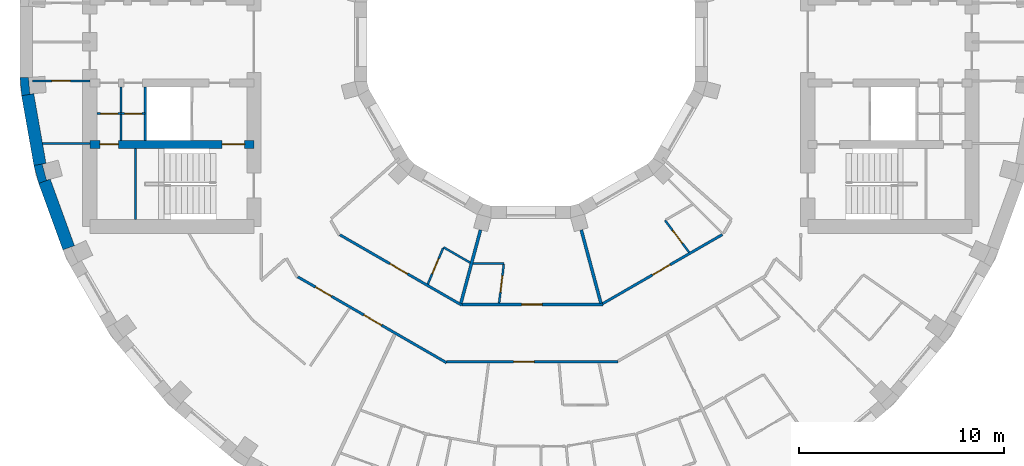
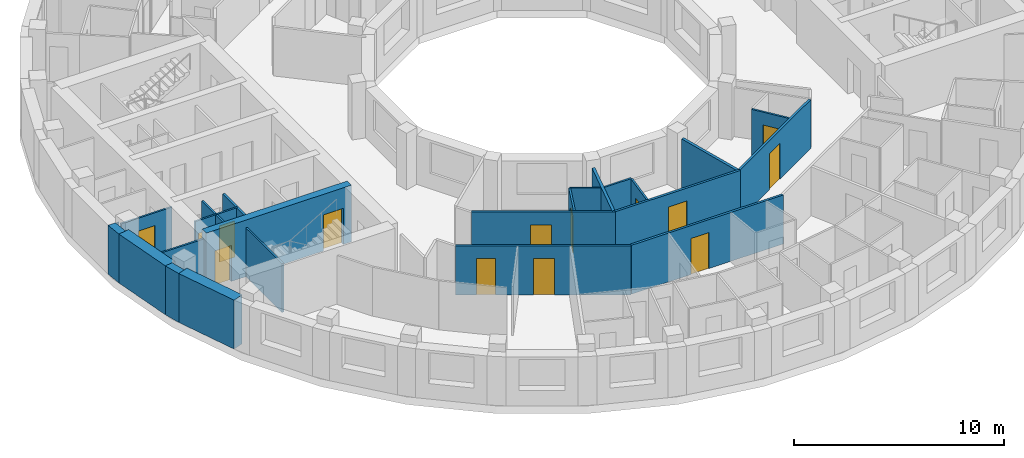
# One storey, part 5 of 15: 24 walls, 14 doors, 14 openings.
"""IFC4 building model written with IfcOpenShell, lengths in metres."""

import ifcopenshell
import ifcopenshell.guid

model = None  # the IFC model being written
_history = None  # IfcOwnerHistory: only IFC2X3 demands one
_inside = {}  # id of a spatial element -> (the spatial element, [elements in it])
_under = {}  # id of a project, library or spatial element -> (it, [spatial elements below it])
_declared = {}  # id of a project -> (the project, [libraries it declares])
_typed = {}  # id of a type object -> (the type object, [elements of that type])
_made_of = {}  # id of a material, layer set ... -> (it, [elements and type objects made of it])


def new_model(schema):
    """Start an empty IFC model of exactly this schema.

    Asked for "IFC4X3", IfcOpenShell would pick the latest addendum, in which some entities
    have other attributes; the version numbers below select the first issue.
    IFC2X3 requires an IfcOwnerHistory on every rooted entity: one is made here for all.
    """
    global model, _history
    if schema == "IFC4X3":
        model = ifcopenshell.file(schema_version=(4, 3, 0, 0))
    else:
        model = ifcopenshell.file(schema=schema)
    _inside.clear()
    _under.clear()
    _declared.clear()
    _typed.clear()
    _made_of.clear()
    _history = None
    if model.schema == "IFC2X3":
        org = make("IfcOrganization", Name="unknown")
        user = make(
            "IfcPersonAndOrganization",
            ThePerson=make("IfcPerson", FamilyName="unknown"),
            TheOrganization=org,
        )
        app = make(
            "IfcApplication",
            ApplicationDeveloper=org,
            Version="unknown",
            ApplicationFullName="unknown",
            ApplicationIdentifier="unknown",
        )
        _history = make(
            "IfcOwnerHistory",
            OwningUser=user,
            OwningApplication=app,
            ChangeAction="ADDED",
            CreationDate=0,
        )
    return model


def make(cls, **values):
    """One entity of the class cls with the attributes given. An attribute that is None is left unset."""
    return model.create_entity(
        cls, **{name: value for name, value in values.items() if value is not None}
    )


def rooted(cls, **values):
    """An entity with a GlobalId (a new one), such as an element, a storey or a relation."""
    return make(cls, GlobalId=ifcopenshell.guid.new(), OwnerHistory=_history, **values)


def si_unit(unit_type, name, prefix=None):
    """IfcSIUnit, for example si_unit("LENGTHUNIT", "METRE", prefix="MILLI")."""
    return make("IfcSIUnit", UnitType=unit_type, Prefix=prefix, Name=name)


def assignment(units):
    """IfcUnitAssignment: the units of a project."""
    return None if units is None else make("IfcUnitAssignment", Units=units)


def point(xyz):
    """IfcCartesianPoint."""
    return None if xyz is None else make("IfcCartesianPoint", Coordinates=xyz)


def direction(xyz):
    """IfcDirection."""
    return None if xyz is None else make("IfcDirection", DirectionRatios=xyz)


def frame(location, z_axis=None, x_axis=None):
    """IfcAxis2Placement3D, a coordinate frame: its origin and axes. An axis left out is left unset."""
    return make(
        "IfcAxis2Placement3D",
        Location=point(location),
        Axis=direction(z_axis),
        RefDirection=direction(x_axis),
    )


def frame_2d(location, x_axis=None):
    """IfcAxis2Placement2D, a coordinate frame in the plane: its origin and x axis."""
    return make(
        "IfcAxis2Placement2D", Location=point(location), RefDirection=direction(x_axis)
    )


def origin():
    """The frame at (0, 0, 0) with its axes left unset."""
    return frame((0.0, 0.0, 0.0))


def place(relative_to, where):
    """IfcLocalPlacement: puts the frame where relative to a parent placement (None: the world)."""
    return make(
        "IfcLocalPlacement", PlacementRelTo=relative_to, RelativePlacement=where
    )


def context(
    kind, dimensions, precision=None, world=None, true_north=None, identifier=None
):
    """IfcGeometricRepresentationContext, for example the 3D "Model" context."""
    return make(
        "IfcGeometricRepresentationContext",
        ContextIdentifier=identifier,
        ContextType=kind,
        CoordinateSpaceDimension=dimensions,
        Precision=precision,
        WorldCoordinateSystem=world,
        TrueNorth=true_north,
    )


def subcontext(parent, identifier, kind, view, scale=None):
    """IfcGeometricRepresentationSubContext, for example "Body" below "Model"."""
    return make(
        "IfcGeometricRepresentationSubContext",
        ContextIdentifier=identifier,
        ContextType=kind,
        ParentContext=parent,
        TargetScale=scale,
        TargetView=view,
    )


def project(units=None, contexts=None):
    """IfcProject with its units and contexts."""
    return rooted(
        "IfcProject",
        Name="project",
        RepresentationContexts=contexts,
        UnitsInContext=assignment(units),
    )


def spatial(cls, under=None, at=None, **own):
    """A site, building, storey or space (cls), placed at a placement, below another one or the project."""
    s = rooted(cls, ObjectPlacement=at, **own)
    if under is not None:
        _under.setdefault(under.id(), (under, []))[1].append(s)
    return s


def polyline(points):
    """IfcPolyline through the points."""
    return make("IfcPolyline", Points=[point(p) for p in points])


def profile(cls, at=None, kind="AREA", **sizes):
    """A parametric profile (cls). Its sizes go by their IFC names, for example OverallWidth=200.0."""
    return make(cls, ProfileType=kind, Position=at, **sizes)


def rectangle(**sizes):
    """IfcRectangleProfileDef."""
    return profile("IfcRectangleProfileDef", **sizes)


def outline(outer, holes=None, kind="AREA"):
    """IfcArbitraryClosedProfileDef: a profile drawn as a closed curve; with holes, ...WithVoids."""
    if holes is None:
        return make("IfcArbitraryClosedProfileDef", ProfileType=kind, OuterCurve=outer)
    return make(
        "IfcArbitraryProfileDefWithVoids",
        ProfileType=kind,
        OuterCurve=outer,
        InnerCurves=holes,
    )


def extrude(swept, where, along, depth):
    """IfcExtrudedAreaSolid: the profile swept, set in the frame where, extruded along a direction by depth."""
    return make(
        "IfcExtrudedAreaSolid",
        SweptArea=swept,
        Position=where,
        ExtrudedDirection=direction(along),
        Depth=depth,
    )


def shape(context_of_items, identifier, shape_type, items):
    """IfcShapeRepresentation: the items that make up one representation, for example the "Body"."""
    return make(
        "IfcShapeRepresentation",
        ContextOfItems=context_of_items,
        RepresentationIdentifier=identifier,
        RepresentationType=shape_type,
        Items=items,
    )


def material(Name=None, Category=None):
    """IfcMaterial."""
    return make("IfcMaterial", Name=Name, Category=Category)


def layer(
    of_material, thickness, ventilated=None, Name=None, Category=None, Priority=None
):
    """IfcMaterialLayer: one layer of a wall or slab, of a material (None: an air gap)."""
    return make(
        "IfcMaterialLayer",
        Material=of_material,
        LayerThickness=thickness,
        IsVentilated=ventilated,
        Name=Name,
        Category=Category,
        Priority=Priority,
    )


def layer_set(layers, Name=None):
    """IfcMaterialLayerSet."""
    return make("IfcMaterialLayerSet", MaterialLayers=layers, LayerSetName=Name)


def made_of(thing, what):
    """Note that an element or type object is made of a material, layer set ...; save() writes the relation."""
    if what is not None:
        _made_of.setdefault(what.id(), (what, []))[1].append(thing)
    return thing


def type_object(cls, material=None, **own):
    """A type object (cls), such as IfcWallType, which elements share."""
    return made_of(rooted(cls, **own), material)


def element(
    cls,
    number,
    at=None,
    inside=None,
    cuts=None,
    type_object=None,
    material=None,
    context=None,
    identifier="Body",
    shape_type=None,
    held_by="IfcProductDefinitionShape",
    body=None,
    shapes=None,
    **own,
):
    """One element of the class cls, such as IfcWall. Its Tag is "e" and its number.

    at: its placement. inside: the storey or other place that contains it. cuts: it is an
    opening in that element (IfcRelVoidsElement). A single representation is given by context,
    identifier, shape_type and body (its items); several are given by shapes. held_by: the class
    of the entity that holds the representations. save() writes the other relations.
    """
    e = rooted(cls, Tag="e%d" % number, ObjectPlacement=at, **own)
    if body is not None:
        shapes = [shape(context, identifier, shape_type, body)]
    if shapes is not None:
        e.Representation = make(held_by, Representations=shapes)
    if inside is not None:
        _inside.setdefault(inside.id(), (inside, []))[1].append(e)
    if cuts is not None:
        rooted(
            "IfcRelVoidsElement", RelatingBuildingElement=cuts, RelatedOpeningElement=e
        )
    if type_object is not None:
        _typed.setdefault(type_object.id(), (type_object, []))[1].append(e)
    return made_of(e, material)


def fill(opening, filler):
    """IfcRelFillsElement: the door or window that sits in an opening."""
    return rooted(
        "IfcRelFillsElement",
        RelatingOpeningElement=opening,
        RelatedBuildingElement=filler,
    )


def aggregate(whole, parts):
    """IfcRelAggregates: a whole, such as a stair, and the parts it consists of."""
    return rooted("IfcRelAggregates", RelatingObject=whole, RelatedObjects=parts)


def save(model, path):
    """Write the relations noted so far, then the file.

    IfcRelAggregates (storeys below a building ...), IfcRelContainedInSpatialStructure (elements
    in a storey), IfcRelDefinesByType, IfcRelAssociatesMaterial and IfcRelDeclares: one each for
    every whole, place, type object, material and project.
    """
    for whole, parts in _under.values():
        aggregate(whole, parts)
    for where, things in _inside.values():
        rooted(
            "IfcRelContainedInSpatialStructure",
            RelatedElements=things,
            RelatingStructure=where,
        )
    for kind, things in _typed.values():
        rooted("IfcRelDefinesByType", RelatedObjects=things, RelatingType=kind)
    for what, things in _made_of.values():
        rooted("IfcRelAssociatesMaterial", RelatedObjects=things, RelatingMaterial=what)
    for by, libraries in _declared.values():
        rooted("IfcRelDeclares", RelatingContext=by, RelatedDefinitions=libraries)
    model.write(path)


model = new_model("IFC4")

# Units and contexts
model_context = context("Model", 3, precision=1e-05, world=origin(), true_north=direction((0.0, 1.0)))
body_context = subcontext(model_context, "Body", "Model", "MODEL_VIEW")
ifc_project = project(units=[si_unit("LENGTHUNIT", "METRE"), si_unit("AREAUNIT", "SQUARE_METRE"), si_unit("VOLUMEUNIT", "CUBIC_METRE"), si_unit("PLANEANGLEUNIT", "RADIAN"), si_unit("MASSUNIT", "GRAM", prefix="KILO")], contexts=[model_context])

# Site, building, storey
site_placement = place(None, origin())
site = spatial("IfcSite", under=ifc_project, at=site_placement, CompositionType="ELEMENT")
building_placement = place(site_placement, origin())
building = spatial("IfcBuilding", under=site, at=building_placement, Name="Saqina Gate Tower", CompositionType="ELEMENT")
storey_placement = place(building_placement, frame((0.0, 0.0, 193.800048828125)))
storey = spatial("IfcBuildingStorey", under=building, at=storey_placement, Name="L55", CompositionType="ELEMENT", Elevation=193.800048828125)

# Walls
ifc_material_1 = material(Name="Brick masonry (buff)", Category="masonry")
wall_type_1 = type_object("IfcWallType", Name="BRICK PIER COPING BUFF", PredefinedType="SOLIDWALL", material=ifc_material_1)
wall_1_placement = place(storey_placement, origin())
element("IfcWall", 1, at=wall_1_placement, inside=storey, type_object=wall_type_1, Name="Pier cap L55 column 19", PredefinedType="SOLIDWALL", context=body_context, shape_type="SweptSolid", body=[
    extrude(outline(polyline([(-24.90478515625, -1.724853515625), (-24.825927734375, -2.6259765625), (-24.235107421875, -2.521728515625), (-24.421630859375, -2.5380859375), (-24.491455078125, -1.7412109375), (-24.304931640625, -1.724853515625), (-24.90478515625, -1.724853515625)])), origin(), (0.0, 0.0, 1.0), 2.849853515625),
])
wall_2_placement = place(storey_placement, origin())
element("IfcWall", 2, at=wall_2_placement, inside=storey, type_object=wall_type_1, Name="Pier cap L55 column 20", PredefinedType="SOLIDWALL", context=body_context, shape_type="SweptSolid", body=[
    extrude(outline(polyline([(-24.22705078125, -6.0234375), (-23.992919921875, -6.897216796875), (-23.428955078125, -6.69189453125), (-23.610107421875, -6.740478515625), (-23.81689453125, -5.967529296875), (-23.635986328125, -5.919189453125), (-24.22705078125, -6.0234375)])), origin(), (0.0, 0.0, 1.0), 2.849853515625),
])
ifc_material_2 = material(Name="Gypsum board on steel studs", Category="steel")
ifc_layer_1 = layer(ifc_material_2, 0.10009765625)
ifc_layer_set_1 = layer_set([ifc_layer_1], Name="CORE PARTITION")
wall_type_2 = type_object("IfcWallType", Name="CORE PARTITION", PredefinedType="PARTITIONING", material=ifc_layer_set_1)
wall_3_placement = place(storey_placement, frame((-21.5, -4.949951171875, 0.0), z_axis=(0.0, 0.0, 1.0), x_axis=(-1.0, 0.0, 0.0)))
element("IfcWall", 3, at=wall_3_placement, inside=storey, type_object=wall_type_2, Name="L55-CP-W03", PredefinedType="PARTITIONING", context=body_context, shape_type="SweptSolid", body=[
    extrude(rectangle(XDim=2.306884765625, YDim=0.10009765625, at=frame_2d((1.1533203125, 0.0))), origin(), (0.0, 0.0, 1.0), 2.849853515625),
])

# Wall, opening, door
wall_4_placement = place(storey_placement, frame((-21.5, -1.89990234375, 0.0), z_axis=(0.0, 0.0, 1.0), x_axis=(-1.0, 0.0, 0.0)))
wall_4 = element("IfcWall", 4, at=wall_4_placement, inside=storey, type_object=wall_type_2, Name="L55-CP-W04", PredefinedType="PARTITIONING", context=body_context, shape_type="SweptSolid", body=[
    extrude(rectangle(XDim=2.804931640625, YDim=0.10009765625, at=frame_2d((1.40234375, 0.0))), origin(), (0.0, 0.0, 1.0), 2.849853515625),
])
opening_1_placement = place(wall_4_placement, frame((0.952392578125, 0.0, 0.0)))
opening_1 = element("IfcOpeningElement", 5, at=opening_1_placement, cuts=wall_4, Name="Opening G16-D116", PredefinedType="OPENING", context=body_context, shape_type="SweptSolid", body=[
    extrude(rectangle(XDim=0.89990234375, YDim=2.10009765625, at=frame_2d((0.449951171875, 1.050048828125))), frame((0.0, 0.06201171875, 0.0), z_axis=(0.0, -1.0, 0.0), x_axis=(1.0, 0.0, 0.0)), (0.0, 0.0, 1.0), 0.1240234375),
])
ifc_material_3 = material(Name="Steel-framed fire door leaf, EI 60", Category="steel")
door_type_1 = type_object("IfcDoorType", Name="SERVICE ROOM DOOR 900", OperationType="SINGLE_SWING_LEFT", PredefinedType="DOOR", material=ifc_material_3)
door_1_placement = place(opening_1_placement, origin())
door_1 = element("IfcDoor", 6, at=door_1_placement, inside=storey, type_object=door_type_1, Name="L55-CD-W27", OperationType="SINGLE_SWING_LEFT", OverallHeight=2.10009765625, OverallWidth=0.89990234375, PredefinedType="DOOR", context=body_context, shape_type="SweptSolid", body=[
    extrude(rectangle(XDim=0.89990234375, YDim=2.10009765625, at=frame_2d((0.449951171875, 1.050048828125))), frame((0.0, 0.02490234375, 0.0), z_axis=(0.0, -1.0, 0.0), x_axis=(1.0, 0.0, 0.0)), (0.0, 0.0, 1.0), 0.050048828125),
])
fill(opening_1, door_1)

# Wall
wall_5_placement = place(storey_placement, frame((-19.97998046875, -4.800048828125, 0.0), z_axis=(0.0, 0.0, 1.0), x_axis=(0.0, 1.0, 0.0)))
element("IfcWall", 7, at=wall_5_placement, inside=storey, type_object=wall_type_2, Name="L55-CP-W11", PredefinedType="PARTITIONING", context=body_context, shape_type="SweptSolid", body=[
    extrude(rectangle(XDim=2.60009765625, YDim=0.10009765625, at=frame_2d((1.300048828125, 0.0))), origin(), (0.0, 0.0, 1.0), 2.849853515625),
])

# Wall, opening, door
wall_6_placement = place(storey_placement, frame((-18.81005859375, -3.5, 0.0), z_axis=(0.0, 0.0, 1.0), x_axis=(-1.0, 0.0, 0.0)))
wall_6 = element("IfcWall", 8, at=wall_6_placement, inside=storey, type_object=wall_type_2, Name="L55-CP-W14", PredefinedType="PARTITIONING", context=body_context, shape_type="SweptSolid", body=[
    extrude(rectangle(XDim=1.169921875, YDim=0.10009765625, at=frame_2d((0.5849609375, 0.0))), origin(), (0.0, 0.0, 1.0), 2.849853515625),
])
opening_2_placement = place(wall_6_placement, frame((0.14990234375, 0.0, 0.0)))
opening_2 = element("IfcOpeningElement", 9, at=opening_2_placement, cuts=wall_6, Name="Opening G16-D121", PredefinedType="OPENING", context=body_context, shape_type="SweptSolid", body=[
    extrude(rectangle(XDim=0.85009765625, YDim=2.10009765625, at=frame_2d((0.425048828125, 1.050048828125))), frame((0.0, 0.06201171875, 0.0), z_axis=(0.0, -1.0, 0.0), x_axis=(1.0, 0.0, 0.0)), (0.0, 0.0, 1.0), 0.1240234375),
])
ifc_material_4 = material(Name="Steel-framed fire door leaf, EI 60", Category="steel")
door_type_2 = type_object("IfcDoorType", Name="SERVICE ROOM DOOR 850", OperationType="SINGLE_SWING_LEFT", PredefinedType="DOOR", material=ifc_material_4)
door_2_placement = place(opening_2_placement, origin())
door_2 = element("IfcDoor", 10, at=door_2_placement, inside=storey, type_object=door_type_2, Name="L55-CD-W32", OperationType="SINGLE_SWING_LEFT", OverallHeight=2.10009765625, OverallWidth=0.85009765625, PredefinedType="DOOR", context=body_context, shape_type="SweptSolid", body=[
    extrude(rectangle(XDim=0.85009765625, YDim=2.10009765625, at=frame_2d((0.425048828125, 1.050048828125))), frame((0.0, 0.02490234375, 0.0), z_axis=(0.0, -1.0, 0.0), x_axis=(1.0, 0.0, 0.0)), (0.0, 0.0, 1.0), 0.050048828125),
])
fill(opening_2, door_2)

wall_7_placement = place(storey_placement, frame((-19.97998046875, -3.5, 0.0), z_axis=(0.0, 0.0, 1.0), x_axis=(-1.0, 0.0, 0.0)))
wall_7 = element("IfcWall", 11, at=wall_7_placement, inside=storey, type_object=wall_type_2, Name="L55-CP-W15", PredefinedType="PARTITIONING", context=body_context, shape_type="SweptSolid", body=[
    extrude(rectangle(XDim=1.169921875, YDim=0.10009765625, at=frame_2d((0.5849609375, 0.0))), origin(), (0.0, 0.0, 1.0), 2.849853515625),
])
opening_3_placement = place(wall_7_placement, frame((0.14990234375, 0.0, 0.0)))
opening_3 = element("IfcOpeningElement", 12, at=opening_3_placement, cuts=wall_7, Name="Opening G16-D122", PredefinedType="OPENING", context=body_context, shape_type="SweptSolid", body=[
    extrude(rectangle(XDim=0.85009765625, YDim=2.10009765625, at=frame_2d((0.425048828125, 1.050048828125))), frame((0.0, 0.06201171875, 0.0), z_axis=(0.0, -1.0, 0.0), x_axis=(1.0, 0.0, 0.0)), (0.0, 0.0, 1.0), 0.1240234375),
])
door_3_placement = place(opening_3_placement, origin())
door_3 = element("IfcDoor", 13, at=door_3_placement, inside=storey, type_object=door_type_2, Name="L55-CD-W33", OperationType="SINGLE_SWING_RIGHT", OverallHeight=2.10009765625, OverallWidth=0.85009765625, PredefinedType="DOOR", context=body_context, shape_type="SweptSolid", body=[
    extrude(rectangle(XDim=0.85009765625, YDim=2.10009765625, at=frame_2d((0.425048828125, 1.050048828125))), frame((0.0, 0.02490234375, 0.0), z_axis=(0.0, -1.0, 0.0), x_axis=(1.0, 0.0, 0.0)), (0.0, 0.0, 1.0), 0.050048828125),
])
fill(opening_3, door_3)

# Walls
ifc_material_5 = material(Name="Glazed ceramic tile", Category="ceramic")
ifc_layer_2 = layer(ifc_material_5, 0.60009765625)
ifc_layer_set_2 = layer_set([ifc_layer_2], Name="FW-TILE")
wall_type_3 = type_object("IfcWallType", Name="FW-TILE", PredefinedType="SOLIDWALL", material=ifc_layer_set_2)
wall_8_placement = place(storey_placement, frame((-23.7109375, -6.79443359375, 0.0), z_axis=(0.0, 0.0, 1.0), x_axis=(0.342032843455, -0.93968799822, 0.0)))
element("IfcWall", 14, at=wall_8_placement, inside=storey, type_object=wall_type_3, Name="Facade wall L55 facet 20", PredefinedType="SOLIDWALL", context=body_context, shape_type="SweptSolid", body=[
    extrude(rectangle(XDim=3.44970703125, YDim=0.60009765625, at=frame_2d((1.724853515625, 0.0))), origin(), (0.0, 0.0, 1.0), 2.849853515625),
])
ifc_material_6 = material(Name="Glazed ceramic tile (dark blue)", Category="ceramic")
ifc_layer_3 = layer(ifc_material_6, 0.60009765625)
ifc_layer_set_3 = layer_set([ifc_layer_3], Name="FW-TILE-CB")
wall_type_4 = type_object("IfcWallType", Name="FW-TILE-CB", PredefinedType="SOLIDWALL", material=ifc_layer_set_3)
wall_9_placement = place(storey_placement, frame((-24.530517578125, -2.573974609375, 0.0), z_axis=(0.0, 0.0, 1.0), x_axis=(0.173607684551, -0.984814892183, 0.0)))
element("IfcWall", 15, at=wall_9_placement, inside=storey, type_object=wall_type_4, Name="Facade wall L55 facet 19", PredefinedType="SOLIDWALL", context=body_context, shape_type="SweptSolid", body=[
    extrude(rectangle(XDim=3.44970703125, YDim=0.60009765625, at=frame_2d((1.724853515625, 0.0))), origin(), (0.0, 0.0, 1.0), 2.849853515625),
])

# Wall, opening, door
ifc_material_7 = material(Name="Gypsum board on steel studs, 100 mm", Category="steel")
ifc_layer_4 = layer(ifc_material_7, 0.10009765625)
ifc_layer_set_4 = layer_set([ifc_layer_4], Name="PARTITION 100")
wall_type_5 = type_object("IfcWallType", Name="PARTITION 100", PredefinedType="PARTITIONING", material=ifc_layer_set_4)
wall_10_placement = place(storey_placement, frame((6.5390625, -8.696044921875, 0.0), z_axis=(0.0, 0.0, 1.0), x_axis=(0.601120334692, -0.799158521959, 0.0)))
wall_10 = element("IfcWall", 16, at=wall_10_placement, inside=storey, type_object=wall_type_5, Name="PARTITION PW3-20", PredefinedType="PARTITIONING", context=body_context, shape_type="SweptSolid", body=[
    extrude(rectangle(XDim=1.951416015625, YDim=0.10009765625, at=frame_2d((0.9755859375, 0.0))), origin(), (0.0, 0.0, 1.0), 2.849853515625),
])
opening_4_placement = place(wall_10_placement, frame((0.607421875, 0.0, 0.0)))
opening_4 = element("IfcOpeningElement", 17, at=opening_4_placement, cuts=wall_10, Name="Opening G16-D58", PredefinedType="OPENING", context=body_context, shape_type="SweptSolid", body=[
    extrude(rectangle(XDim=0.800048828125, YDim=2.10009765625, at=frame_2d((0.39990234375, 1.050048828125))), frame((0.0, 0.06201171875, 0.0), z_axis=(0.0, -1.0, 0.0), x_axis=(1.0, 0.0, 0.0)), (0.0, 0.0, 1.0), 0.1240234375),
])
ifc_material_8 = material(Name="Timber door leaf, 800 mm", Category="wood")
door_type_3 = type_object("IfcDoorType", Name="DOOR 800 TIMBER", OperationType="SINGLE_SWING_LEFT", PredefinedType="DOOR", material=ifc_material_8)
door_4_placement = place(opening_4_placement, frame((0.800048828125, 0.0, 0.0), z_axis=(0.0, 0.0, 1.0), x_axis=(-1.0, 0.0, 0.0)))
door_4 = element("IfcDoor", 18, at=door_4_placement, inside=storey, type_object=door_type_3, Name="DOOR G16-D58", OperationType="SINGLE_SWING_LEFT", OverallHeight=2.10009765625, OverallWidth=0.800048828125, PredefinedType="DOOR", context=body_context, shape_type="SweptSolid", body=[
    extrude(rectangle(XDim=0.800048828125, YDim=2.10009765625, at=frame_2d((0.39990234375, 1.050048828125))), frame((0.0, 0.02490234375, 0.0), z_axis=(0.0, -1.0, 0.0), x_axis=(1.0, 0.0, 0.0)), (0.0, 0.0, 1.0), 0.050048828125),
])
fill(opening_4, door_4)

# Walls
wall_11_placement = place(storey_placement, frame((-4.260986328125, -10.010986328125, 0.0), z_axis=(0.0, 0.0, 1.0), x_axis=(0.86609634961, -0.499877098087, 0.0)))
element("IfcWall", 19, at=wall_11_placement, inside=storey, type_object=wall_type_5, Name="PARTITION PW3-37", PredefinedType="PARTITIONING", context=body_context, shape_type="SweptSolid", body=[
    extrude(rectangle(XDim=1.50341796875, YDim=0.10009765625, at=frame_2d((0.751708984375, 0.0))), origin(), (0.0, 0.0, 1.0), 2.849853515625),
])
wall_12_placement = place(storey_placement, frame((-2.819091796875, -10.800048828125, 0.0), z_axis=(0.0, 0.0, 1.0), x_axis=(1.0, 0.0, 0.0)))
element("IfcWall", 20, at=wall_12_placement, inside=storey, type_object=wall_type_5, Name="PARTITION PW3-54", PredefinedType="PARTITIONING", context=body_context, shape_type="SweptSolid", body=[
    extrude(rectangle(XDim=1.504150390625, YDim=0.10009765625, at=frame_2d((0.751953125, 0.0))), origin(), (0.0, 0.0, 1.0), 2.849853515625),
])

# Wall, opening, door
wall_13_placement = place(storey_placement, frame((-5.025634765625, -11.806396484375, 0.0), z_axis=(0.0, 0.0, 1.0), x_axis=(0.391841940262, 0.920032550431, 0.0)))
wall_13 = element("IfcWall", 21, at=wall_13_placement, inside=storey, type_object=wall_type_5, Name="PARTITION PW3-90", PredefinedType="PARTITIONING", context=body_context, shape_type="SweptSolid", body=[
    extrude(rectangle(XDim=1.901611328125, YDim=0.10009765625, at=frame_2d((0.95068359375, 0.0))), origin(), (0.0, 0.0, 1.0), 2.849853515625),
])
opening_5_placement = place(wall_13_placement, frame((0.54443359375, 0.0, 0.0)))
opening_5 = element("IfcOpeningElement", 22, at=opening_5_placement, cuts=wall_13, Name="Opening G16-D37", PredefinedType="OPENING", context=body_context, shape_type="SweptSolid", body=[
    extrude(rectangle(XDim=0.800048828125, YDim=2.10009765625, at=frame_2d((0.39990234375, 1.050048828125))), frame((0.0, 0.06201171875, 0.0), z_axis=(0.0, -1.0, 0.0), x_axis=(1.0, 0.0, 0.0)), (0.0, 0.0, 1.0), 0.1240234375),
])
door_5_placement = place(opening_5_placement, origin())
door_5 = element("IfcDoor", 23, at=door_5_placement, inside=storey, type_object=door_type_3, Name="DOOR G16-D37", OperationType="SINGLE_SWING_LEFT", OverallHeight=2.10009765625, OverallWidth=0.800048828125, PredefinedType="DOOR", context=body_context, shape_type="SweptSolid", body=[
    extrude(rectangle(XDim=0.800048828125, YDim=2.10009765625, at=frame_2d((0.39990234375, 1.050048828125))), frame((0.0, 0.02490234375, 0.0), z_axis=(0.0, -1.0, 0.0), x_axis=(1.0, 0.0, 0.0)), (0.0, 0.0, 1.0), 0.050048828125),
])
fill(opening_5, door_5)

wall_14_placement = place(storey_placement, frame((-1.551513671875, -12.738037109375, 0.0), z_axis=(0.0, 0.0, 1.0), x_axis=(0.121143814879, 0.992634966197, 0.0)))
wall_14 = element("IfcWall", 24, at=wall_14_placement, inside=storey, type_object=wall_type_5, Name="PARTITION PW3-100", PredefinedType="PARTITIONING", context=body_context, shape_type="SweptSolid", body=[
    extrude(rectangle(XDim=1.90234375, YDim=0.10009765625, at=frame_2d((0.951171875, 0.0))), origin(), (0.0, 0.0, 1.0), 2.849853515625),
])
opening_6_placement = place(wall_14_placement, frame((0.544921875, 0.0, 0.0)))
opening_6 = element("IfcOpeningElement", 25, at=opening_6_placement, cuts=wall_14, Name="Opening G16-D43", PredefinedType="OPENING", context=body_context, shape_type="SweptSolid", body=[
    extrude(rectangle(XDim=0.800048828125, YDim=2.10009765625, at=frame_2d((0.39990234375, 1.050048828125))), frame((0.0, 0.06201171875, 0.0), z_axis=(0.0, -1.0, 0.0), x_axis=(1.0, 0.0, 0.0)), (0.0, 0.0, 1.0), 0.1240234375),
])
door_6_placement = place(opening_6_placement, frame((0.800048828125, 0.0, 0.0), z_axis=(0.0, 0.0, 1.0), x_axis=(-1.0, 0.0, 0.0)))
door_6 = element("IfcDoor", 26, at=door_6_placement, inside=storey, type_object=door_type_3, Name="DOOR G16-D43", OperationType="SINGLE_SWING_RIGHT", OverallHeight=2.10009765625, OverallWidth=0.800048828125, PredefinedType="DOOR", context=body_context, shape_type="SweptSolid", body=[
    extrude(rectangle(XDim=0.800048828125, YDim=2.10009765625, at=frame_2d((0.39990234375, 1.050048828125))), frame((0.0, 0.02490234375, 0.0), z_axis=(0.0, -1.0, 0.0), x_axis=(1.0, 0.0, 0.0)), (0.0, 0.0, 1.0), 0.050048828125),
])
fill(opening_6, door_6)

# Wall, openings, doors
ifc_material_9 = material(Name="Gypsum board on steel studs, 125 mm, fire rated", Category="steel")
ifc_layer_5 = layer(ifc_material_9, 0.125)
ifc_layer_set_5 = layer_set([ifc_layer_5], Name="PARTITION EI 30 125")
wall_type_6 = type_object("IfcWallType", Name="PARTITION EI 30 125", PredefinedType="PARTITIONING", material=ifc_layer_set_5)
wall_15_placement = place(storey_placement, frame((-11.365966796875, -11.451171875, 0.0), z_axis=(0.0, 0.0, 1.0), x_axis=(0.866032091518, -0.499988416326, 0.0)))
wall_15 = element("IfcWall", 27, at=wall_15_placement, inside=storey, type_object=wall_type_6, Name="PARTITION PW1-13", PredefinedType="PARTITIONING", context=body_context, shape_type="SweptSolid", body=[
    extrude(rectangle(XDim=8.369873046875, YDim=0.125, at=frame_2d((4.18505859375, 0.0))), origin(), (0.0, 0.0, 1.0), 2.849853515625),
])
opening_7_placement = place(wall_15_placement, frame((0.997802734375, 0.0, 0.0)))
opening_7 = element("IfcOpeningElement", 28, at=opening_7_placement, cuts=wall_15, Name="Opening G16-D34", PredefinedType="OPENING", context=body_context, shape_type="SweptSolid", body=[
    extrude(rectangle(XDim=0.89990234375, YDim=2.10009765625, at=frame_2d((0.449951171875, 1.050048828125))), frame((0.0, 0.074462890625, 0.0), z_axis=(0.0, -1.0, 0.0), x_axis=(1.0, 0.0, 0.0)), (0.0, 0.0, 1.0), 0.14892578125),
])
opening_8_placement = place(wall_15_placement, frame((3.72021484375, 0.0, 0.0)))
opening_8 = element("IfcOpeningElement", 29, at=opening_8_placement, cuts=wall_15, Name="Opening G16-D36", PredefinedType="OPENING", context=body_context, shape_type="SweptSolid", body=[
    extrude(rectangle(XDim=1.0, YDim=2.10009765625, at=frame_2d((0.5, 1.050048828125))), frame((0.0, 0.074462890625, 0.0), z_axis=(0.0, -1.0, 0.0), x_axis=(1.0, 0.0, 0.0)), (0.0, 0.0, 1.0), 0.14892578125),
])
ifc_material_10 = material(Name="Fire door leaf EI 30, 1000 mm")
door_type_4 = type_object("IfcDoorType", Name="DOOR 1000 EI 30", OperationType="SINGLE_SWING_LEFT", PredefinedType="DOOR", material=ifc_material_10)
door_7_placement = place(opening_8_placement, origin())
door_7 = element("IfcDoor", 30, at=door_7_placement, inside=storey, type_object=door_type_4, Name="DOOR G16-D36", OperationType="SINGLE_SWING_RIGHT", OverallHeight=2.10009765625, OverallWidth=1.0, PredefinedType="DOOR", context=body_context, shape_type="SweptSolid", body=[
    extrude(rectangle(XDim=1.0, YDim=2.10009765625, at=frame_2d((0.5, 1.050048828125))), frame((0.0, 0.02490234375, 0.0), z_axis=(0.0, -1.0, 0.0), x_axis=(1.0, 0.0, 0.0)), (0.0, 0.0, 1.0), 0.050048828125),
])
fill(opening_8, door_7)
ifc_material_11 = material(Name="Fire door leaf EI 30, 900 mm")
door_type_5 = type_object("IfcDoorType", Name="DOOR 900 EI 30", OperationType="SINGLE_SWING_LEFT", PredefinedType="DOOR", material=ifc_material_11)
door_8_placement = place(opening_7_placement, frame((0.89990234375, 0.0, 0.0), z_axis=(0.0, 0.0, 1.0), x_axis=(-1.0, 0.0, 0.0)))
door_8 = element("IfcDoor", 31, at=door_8_placement, inside=storey, type_object=door_type_5, Name="DOOR G16-D34", OperationType="SINGLE_SWING_RIGHT", OverallHeight=2.10009765625, OverallWidth=0.89990234375, PredefinedType="DOOR", context=body_context, shape_type="SweptSolid", body=[
    extrude(rectangle(XDim=0.89990234375, YDim=2.10009765625, at=frame_2d((0.449951171875, 1.050048828125))), frame((0.0, 0.02490234375, 0.0), z_axis=(0.0, -1.0, 0.0), x_axis=(1.0, 0.0, 0.0)), (0.0, 0.0, 1.0), 0.050048828125),
])
fill(opening_7, door_8)

# Wall, opening, door
wall_16_placement = place(storey_placement, frame((-9.31591796875, -9.4013671875, 0.0), z_axis=(0.0, 0.0, 1.0), x_axis=(0.865996765544, -0.500049599607, 0.0)))
wall_16 = element("IfcWall", 32, at=wall_16_placement, inside=storey, type_object=wall_type_6, Name="PARTITION PW1-14", PredefinedType="PARTITIONING", context=body_context, shape_type="SweptSolid", body=[
    extrude(rectangle(XDim=6.868896484375, YDim=0.125, at=frame_2d((3.4345703125, 0.0))), origin(), (0.0, 0.0, 1.0), 2.849853515625),
])
opening_9_placement = place(wall_16_placement, frame((2.816162109375, 0.0, 0.0)))
opening_9 = element("IfcOpeningElement", 33, at=opening_9_placement, cuts=wall_16, Name="Opening G16-D35", PredefinedType="OPENING", context=body_context, shape_type="SweptSolid", body=[
    extrude(rectangle(XDim=1.0, YDim=2.10009765625, at=frame_2d((0.5, 1.050048828125))), frame((0.0, 0.074462890625, 0.0), z_axis=(0.0, -1.0, 0.0), x_axis=(1.0, 0.0, 0.0)), (0.0, 0.0, 1.0), 0.14892578125),
])
door_9_placement = place(opening_9_placement, origin())
door_9 = element("IfcDoor", 34, at=door_9_placement, inside=storey, type_object=door_type_4, Name="DOOR G16-D35", OperationType="SINGLE_SWING_LEFT", OverallHeight=2.10009765625, OverallWidth=1.0, PredefinedType="DOOR", context=body_context, shape_type="SweptSolid", body=[
    extrude(rectangle(XDim=1.0, YDim=2.10009765625, at=frame_2d((0.5, 1.050048828125))), frame((0.0, 0.02490234375, 0.0), z_axis=(0.0, -1.0, 0.0), x_axis=(1.0, 0.0, 0.0)), (0.0, 0.0, 1.0), 0.050048828125),
])
fill(opening_9, door_9)

wall_17_placement = place(storey_placement, frame((-4.117431640625, -15.60009765625, 0.0), z_axis=(0.0, 0.0, 1.0), x_axis=(1.0, 0.0, 0.0)))
wall_17 = element("IfcWall", 35, at=wall_17_placement, inside=storey, type_object=wall_type_6, Name="PARTITION PW1-23", PredefinedType="PARTITIONING", context=body_context, shape_type="SweptSolid", body=[
    extrude(rectangle(XDim=8.36962890625, YDim=0.125, at=frame_2d((4.184814453125, 0.0))), origin(), (0.0, 0.0, 1.0), 2.849853515625),
])
opening_10_placement = place(wall_17_placement, frame((3.27294921875, 0.0, 0.0)))
opening_10 = element("IfcOpeningElement", 36, at=opening_10_placement, cuts=wall_17, Name="Opening G16-D45", PredefinedType="OPENING", context=body_context, shape_type="SweptSolid", body=[
    extrude(rectangle(XDim=1.0, YDim=2.10009765625, at=frame_2d((0.5, 1.050048828125))), frame((0.0, 0.074462890625, 0.0), z_axis=(0.0, -1.0, 0.0), x_axis=(1.0, 0.0, 0.0)), (0.0, 0.0, 1.0), 0.14892578125),
])
door_10_placement = place(opening_10_placement, frame((1.0, 0.0, 0.0), z_axis=(0.0, 0.0, 1.0), x_axis=(-1.0, 0.0, 0.0)))
door_10 = element("IfcDoor", 37, at=door_10_placement, inside=storey, type_object=door_type_4, Name="DOOR G16-D45", OperationType="SINGLE_SWING_RIGHT", OverallHeight=2.10009765625, OverallWidth=1.0, PredefinedType="DOOR", context=body_context, shape_type="SweptSolid", body=[
    extrude(rectangle(XDim=1.0, YDim=2.10009765625, at=frame_2d((0.5, 1.050048828125))), frame((0.0, 0.02490234375, 0.0), z_axis=(0.0, -1.0, 0.0), x_axis=(1.0, 0.0, 0.0)), (0.0, 0.0, 1.0), 0.050048828125),
])
fill(opening_10, door_10)

wall_18_placement = place(storey_placement, frame((-3.367431640625, -12.800048828125, 0.0), z_axis=(0.0, 0.0, 1.0), x_axis=(1.0, 0.0, 0.0)))
wall_18 = element("IfcWall", 38, at=wall_18_placement, inside=storey, type_object=wall_type_6, Name="PARTITION PW1-24", PredefinedType="PARTITIONING", context=body_context, shape_type="SweptSolid", body=[
    extrude(rectangle(XDim=6.884033203125, YDim=0.125, at=frame_2d((3.44189453125, 0.0))), origin(), (0.0, 0.0, 1.0), 2.849853515625),
])
opening_11_placement = place(wall_18_placement, frame((2.91796875, 0.0, 0.0)))
opening_11 = element("IfcOpeningElement", 39, at=opening_11_placement, cuts=wall_18, Name="Opening G16-D46", PredefinedType="OPENING", context=body_context, shape_type="SweptSolid", body=[
    extrude(rectangle(XDim=1.0, YDim=2.10009765625, at=frame_2d((0.5, 1.050048828125))), frame((0.0, 0.074462890625, 0.0), z_axis=(0.0, -1.0, 0.0), x_axis=(1.0, 0.0, 0.0)), (0.0, 0.0, 1.0), 0.14892578125),
])
door_11_placement = place(opening_11_placement, origin())
door_11 = element("IfcDoor", 40, at=door_11_placement, inside=storey, type_object=door_type_4, Name="DOOR G16-D46", OperationType="SINGLE_SWING_LEFT", OverallHeight=2.10009765625, OverallWidth=1.0, PredefinedType="DOOR", context=body_context, shape_type="SweptSolid", body=[
    extrude(rectangle(XDim=1.0, YDim=2.10009765625, at=frame_2d((0.5, 1.050048828125))), frame((0.0, 0.02490234375, 0.0), z_axis=(0.0, -1.0, 0.0), x_axis=(1.0, 0.0, 0.0)), (0.0, 0.0, 1.0), 0.050048828125),
])
fill(opening_11, door_11)

wall_19_placement = place(storey_placement, frame((3.494873046875, -12.762451171875, 0.0), z_axis=(0.0, 0.0, 1.0), x_axis=(0.865996609613, 0.500049869652, 0.0)))
wall_19 = element("IfcWall", 41, at=wall_19_placement, inside=storey, type_object=wall_type_6, Name="PARTITION PW1-34", PredefinedType="PARTITIONING", context=body_context, shape_type="SweptSolid", body=[
    extrude(rectangle(XDim=6.734130859375, YDim=0.125, at=frame_2d((3.3671875, 0.0))), origin(), (0.0, 0.0, 1.0), 2.849853515625),
])
opening_12_placement = place(wall_19_placement, frame((2.8037109375, 0.0, 0.0)))
opening_12 = element("IfcOpeningElement", 42, at=opening_12_placement, cuts=wall_19, Name="Opening G16-D54", PredefinedType="OPENING", context=body_context, shape_type="SweptSolid", body=[
    extrude(rectangle(XDim=1.0, YDim=2.10009765625, at=frame_2d((0.5, 1.050048828125))), frame((0.0, 0.074462890625, 0.0), z_axis=(0.0, -1.0, 0.0), x_axis=(1.0, 0.0, 0.0)), (0.0, 0.0, 1.0), 0.14892578125),
])
door_12_placement = place(opening_12_placement, origin())
door_12 = element("IfcDoor", 43, at=door_12_placement, inside=storey, type_object=door_type_4, Name="DOOR G16-D54", OperationType="SINGLE_SWING_LEFT", OverallHeight=2.10009765625, OverallWidth=1.0, PredefinedType="DOOR", context=body_context, shape_type="SweptSolid", body=[
    extrude(rectangle(XDim=1.0, YDim=2.10009765625, at=frame_2d((0.5, 1.050048828125))), frame((0.0, 0.02490234375, 0.0), z_axis=(0.0, -1.0, 0.0), x_axis=(1.0, 0.0, 0.0)), (0.0, 0.0, 1.0), 0.050048828125),
])
fill(opening_12, door_12)

# Walls
ifc_material_12 = material(Name="Gypsum board on steel studs, 150 mm, fire rated", Category="steel")
ifc_layer_6 = layer(ifc_material_12, 0.14990234375)
ifc_layer_set_6 = layer_set([ifc_layer_6], Name="PARTITION EI 60 150")
wall_type_7 = type_object("IfcWallType", Name="PARTITION EI 60 150", PredefinedType="PARTITIONING", material=ifc_layer_set_6)
wall_20_placement = place(storey_placement, frame((2.45703125, -9.168701171875, 0.0), z_axis=(0.0, 0.0, 1.0), x_axis=(0.258879127767, -0.965909725185, 0.0)))
element("IfcWall", 44, at=wall_20_placement, inside=storey, type_object=wall_type_7, Name="PARTITION PW2-03", PredefinedType="PARTITIONING", context=body_context, shape_type="SweptSolid", body=[
    extrude(rectangle(XDim=3.69677734375, YDim=0.14990234375, at=frame_2d((1.848388671875, 0.0))), origin(), (0.0, 0.0, 1.0), 2.849853515625),
])
wall_21_placement = place(storey_placement, frame((-3.41357421875, -12.73974609375, 0.0), z_axis=(0.0, 0.0, 1.0), x_axis=(0.258739386172, 0.965947167315, 0.0)))
element("IfcWall", 45, at=wall_21_placement, inside=storey, type_object=wall_type_7, Name="PARTITION PW2-07", PredefinedType="PARTITIONING", context=body_context, shape_type="SweptSolid", body=[
    extrude(rectangle(XDim=3.697021484375, YDim=0.14990234375, at=frame_2d((1.8486328125, 0.0))), origin(), (0.0, 0.0, 1.0), 2.849853515625),
])
ifc_material_13 = material(Name="Autoclaved aerated concrete block", Category="concrete")
ifc_layer_7 = layer(ifc_material_13, 0.1201171875)
ifc_layer_set_7 = layer_set([ifc_layer_7], Name="SHAFT PARTITION")
wall_type_8 = type_object("IfcWallType", Name="SHAFT PARTITION", PredefinedType="PARTITIONING", material=ifc_layer_set_7)
wall_22_placement = place(storey_placement, frame((-18.81005859375, -4.800048828125, 0.0), z_axis=(0.0, 0.0, 1.0), x_axis=(0.0, 1.0, 0.0)))
element("IfcWall", 46, at=wall_22_placement, inside=storey, type_object=wall_type_8, Name="L55-CP-W10", PredefinedType="PARTITIONING", context=body_context, shape_type="SweptSolid", body=[
    extrude(rectangle(XDim=2.60009765625, YDim=0.1201171875, at=frame_2d((1.300048828125, 0.0))), origin(), (0.0, 0.0, 1.0), 2.849853515625),
])
ifc_material_14 = material(Name="Autoclaved aerated concrete block", Category="concrete")
ifc_layer_8 = layer(ifc_material_14, 0.10009765625)
ifc_layer_set_8 = layer_set([ifc_layer_8], Name="STAIR ENCLOSURE WALL")
wall_type_9 = type_object("IfcWallType", Name="STAIR ENCLOSURE WALL", PredefinedType="PARTITIONING", material=ifc_layer_set_8)
wall_23_placement = place(storey_placement, frame((-19.27001953125, -8.64990234375, 0.0), z_axis=(0.0, 0.0, 1.0), x_axis=(0.0, 1.0, 0.0)))
element("IfcWall", 47, at=wall_23_placement, inside=storey, type_object=wall_type_9, Name="L55-CP-W17", PredefinedType="PARTITIONING", context=body_context, shape_type="SweptSolid", body=[
    extrude(rectangle(XDim=3.449951171875, YDim=0.10009765625, at=frame_2d((1.72509765625, 0.0))), origin(), (0.0, 0.0, 1.0), 2.849853515625),
])

# Wall, openings, doors
ifc_material_15 = material(Name="Concrete C60/75", Category="concrete")
ifc_layer_9 = layer(ifc_material_15, 0.39990234375)
ifc_layer_set_9 = layer_set([ifc_layer_9], Name="Concrete C60/75")
wall_type_10 = type_object("IfcWallType", Name="STR-CORE WALL-C-I", PredefinedType="SHEAR", material=ifc_layer_set_9)
wall_24_placement = place(storey_placement, frame((-13.5, -5.0, 0.0), z_axis=(0.0, 0.0, 1.0), x_axis=(-1.0, 0.0, 0.0)))
wall_24 = element("IfcWall", 48, at=wall_24_placement, inside=storey, type_object=wall_type_10, Name="CORE WALL L55 W-X2", PredefinedType="SHEAR", context=body_context, shape_type="SweptSolid", body=[
    extrude(rectangle(XDim=8.0, YDim=0.39990234375, at=frame_2d((4.0, 0.0))), origin(), (0.0, 0.0, 1.0), 3.300048828125),
])
opening_13_placement = place(wall_24_placement, frame((6.614990234375, 0.0, 0.0)))
opening_13 = element("IfcOpeningElement", 49, at=opening_13_placement, cuts=wall_24, Name="Opening G16-D123", PredefinedType="OPENING", context=body_context, shape_type="SweptSolid", body=[
    extrude(rectangle(XDim=0.89990234375, YDim=2.10009765625, at=frame_2d((0.449951171875, 1.050048828125))), frame((0.0, 0.2119140625, 0.0), z_axis=(0.0, -1.0, 0.0), x_axis=(1.0, 0.0, 0.0)), (0.0, 0.0, 1.0), 0.423828125),
])
opening_14_placement = place(wall_24_placement, frame((0.449951171875, 0.0, 0.0)))
opening_14 = element("IfcOpeningElement", 50, at=opening_14_placement, cuts=wall_24, Name="Opening G16-D124", PredefinedType="OPENING", context=body_context, shape_type="SweptSolid", body=[
    extrude(rectangle(XDim=1.10009765625, YDim=2.10009765625, at=frame_2d((0.550048828125, 1.050048828125))), frame((0.0, 0.2119140625, 0.0), z_axis=(0.0, -1.0, 0.0), x_axis=(1.0, 0.0, 0.0)), (0.0, 0.0, 1.0), 0.423828125),
])
ifc_material_16 = material(Name="Steel", Category="steel")
door_type_6 = type_object("IfcDoorType", Name="FIRE LOBBY DOOR EI 60 WIDE", OperationType="SINGLE_SWING_LEFT", PredefinedType="DOOR", material=ifc_material_16)
door_13_placement = place(opening_14_placement, origin())
door_13 = element("IfcDoor", 51, at=door_13_placement, inside=storey, type_object=door_type_6, Name="L55-CD-W35", OperationType="SINGLE_SWING_LEFT", OverallHeight=2.10009765625, OverallWidth=1.10009765625, PredefinedType="DOOR", context=body_context, shape_type="SweptSolid", body=[
    extrude(rectangle(XDim=1.10009765625, YDim=2.10009765625, at=frame_2d((0.550048828125, 1.050048828125))), frame((0.0, 0.02490234375, 0.0), z_axis=(0.0, -1.0, 0.0), x_axis=(1.0, 0.0, 0.0)), (0.0, 0.0, 1.0), 0.050048828125),
])
fill(opening_14, door_13)
door_14_placement = place(opening_13_placement, origin())
door_14 = element("IfcDoor", 52, at=door_14_placement, inside=storey, type_object=door_type_1, Name="L55-CD-W34", OperationType="SINGLE_SWING_RIGHT", OverallHeight=2.10009765625, OverallWidth=0.89990234375, PredefinedType="DOOR", context=body_context, shape_type="SweptSolid", body=[
    extrude(rectangle(XDim=0.89990234375, YDim=2.10009765625, at=frame_2d((0.449951171875, 1.050048828125))), frame((0.0, 0.02490234375, 0.0), z_axis=(0.0, -1.0, 0.0), x_axis=(1.0, 0.0, 0.0)), (0.0, 0.0, 1.0), 0.050048828125),
])
fill(opening_13, door_14)

save(model, "model.ifc")
